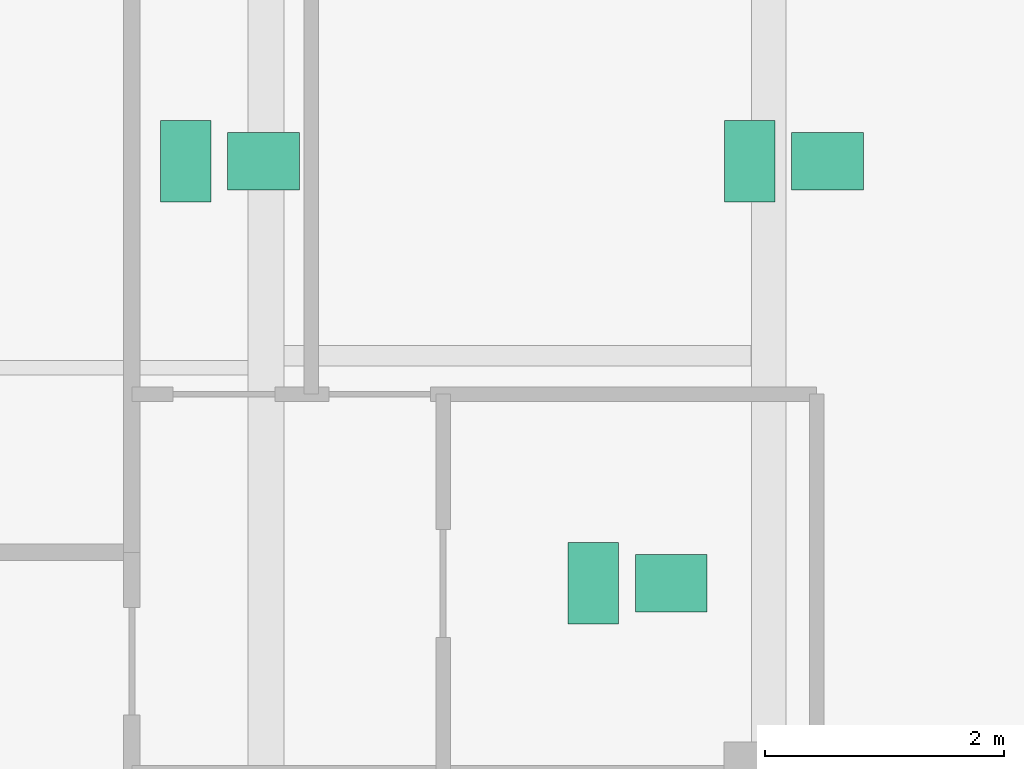
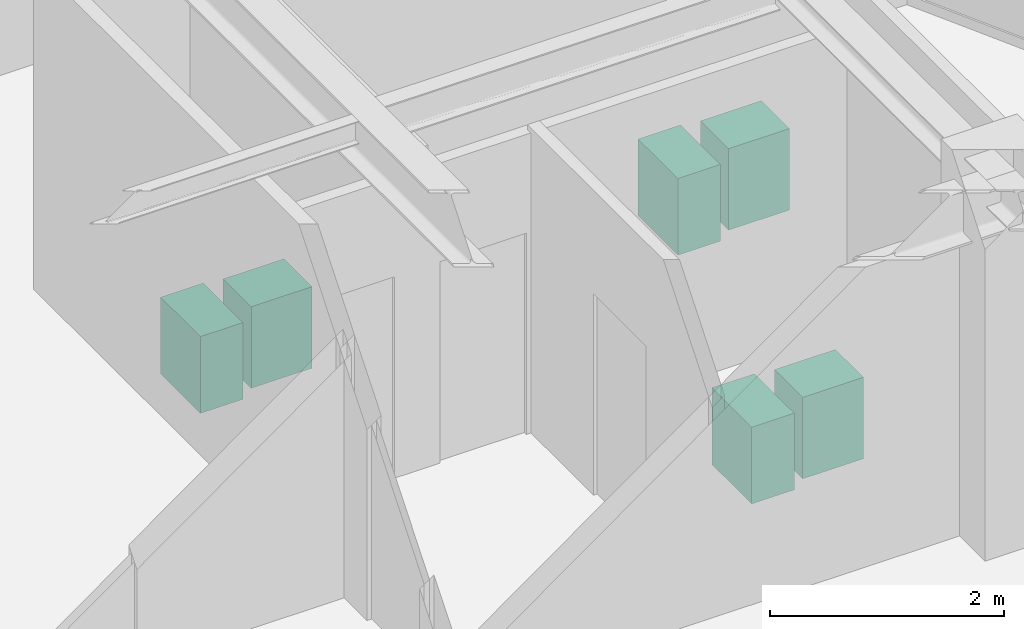
# One storey, part 22 of 22: 6 sanitary terminals.
"""IFC4 building model written with IfcOpenShell, lengths in metres."""

from ifc_helpers import new_model, si_unit, direction, frame, origin, origin_2d, place, context, subcontext, project, spatial, rectangle, extrude, source, transform, mapped, material, type_object, type_shapes, element, save


model = new_model("IFC4")

# Units and contexts
model_context = context("Model", 3, precision=1e-05, world=origin(), true_north=direction((0.0, 1.0)))
body_context = subcontext(model_context, "Body", "Model", "MODEL_VIEW")
ifc_project = project(units=[si_unit("LENGTHUNIT", "METRE"), si_unit("AREAUNIT", "SQUARE_METRE"), si_unit("VOLUMEUNIT", "CUBIC_METRE"), si_unit("PLANEANGLEUNIT", "RADIAN"), si_unit("MASSUNIT", "GRAM", prefix="KILO")], contexts=[model_context])

# Site, building, storey
site_placement = place(None, origin())
site = spatial("IfcSite", under=ifc_project, at=site_placement, CompositionType="ELEMENT")
building_placement = place(site_placement, origin())
building = spatial("IfcBuilding", under=site, at=building_placement, Name="Krantzveldt Concourse Tower", CompositionType="ELEMENT")
storey_placement = place(building_placement, frame((0.0, 0.0, 310.85009765625)))
storey = spatial("IfcBuildingStorey", under=building, at=storey_placement, Name="L76", CompositionType="ELEMENT", Elevation=310.85009765625)

# Sanitary terminals
ifc_material = material(Name="Vitreous china", Category="ceramic")
sanitary_terminal_type_1 = type_object("IfcSanitaryTerminalType", Name="SAN-WC-SUITE", PredefinedType="TOILETPAN", material=ifc_material)
shared_shape_1 = source(origin(), body_context, "Body", "SweptSolid", [
    extrude(rectangle(XDim=0.419921875, YDim=0.679931640625, at=origin_2d()), origin(), (0.0, 0.0, 1.0), 0.800048828125),
])
type_shapes(sanitary_terminal_type_1, [shared_shape_1])
for number, where, z_axis, x_axis, name in (
    (1, (50.8408203125, 31.925048828125, 0.0), (0.0, 0.0, 1.0), (1.0, 0.0, 0.0), "WC-SP-L76-WCM"),
    (2, (46.1298828125, 31.925048828125, 0.0), (0.0, 0.0, 1.0), (1.0, 0.0, 0.0), "WC-SP-L76-WCF"),
    (3, (49.534912109375, 28.39990234375, 0.0), (0.0, 0.0, 1.0), (1.0, 0.0, 0.0), "WC-SP-L76-WCA"),
):
    element("IfcSanitaryTerminal", number, at=place(storey_placement, frame(where, z_axis=z_axis, x_axis=x_axis)), inside=storey, type_object=sanitary_terminal_type_1, Name=name, PredefinedType="TOILETPAN", context=body_context, shape_type="MappedRepresentation", body=[
        mapped(shared_shape_1, transform((0.0, 0.0, 0.0), x_axis=(1.0, 0.0, 0.0), y_axis=(0.0, 1.0, 0.0), z_axis=(0.0, 0.0, 1.0), scale=1.0)),
    ])
sanitary_terminal_type_2 = type_object("IfcSanitaryTerminalType", Name="SAN-BASIN-600", PredefinedType="WASHHANDBASIN", material=ifc_material)
shared_shape_2 = source(origin(), body_context, "Body", "SweptSolid", [
    extrude(rectangle(XDim=0.60009765625, YDim=0.47998046875, at=origin_2d()), origin(), (0.0, 0.0, 1.0), 0.85009765625),
])
type_shapes(sanitary_terminal_type_2, [shared_shape_2])
for number, where, z_axis, x_axis, name in (
    (4, (51.490966796875, 31.925048828125, 0.0048828125), (0.0, 0.0, 1.0), (1.0, 0.0, 0.0), "BSN-SP-L76-WCM"),
    (5, (46.780029296875, 31.925048828125, 0.0048828125), (0.0, 0.0, 1.0), (1.0, 0.0, 0.0), "BSN-SP-L76-WCF"),
    (6, (50.18505859375, 28.39990234375, 0.0048828125), (0.0, 0.0, 1.0), (1.0, 0.0, 0.0), "BSN-SP-L76-WCA"),
):
    element("IfcSanitaryTerminal", number, at=place(storey_placement, frame(where, z_axis=z_axis, x_axis=x_axis)), inside=storey, type_object=sanitary_terminal_type_2, Name=name, PredefinedType="WASHHANDBASIN", context=body_context, shape_type="MappedRepresentation", body=[
        mapped(shared_shape_2, transform((0.0, 0.0, 0.0), x_axis=(1.0, 0.0, 0.0), y_axis=(0.0, 1.0, 0.0), z_axis=(0.0, 0.0, 1.0), scale=1.0)),
    ])

save(model, "model.ifc")
